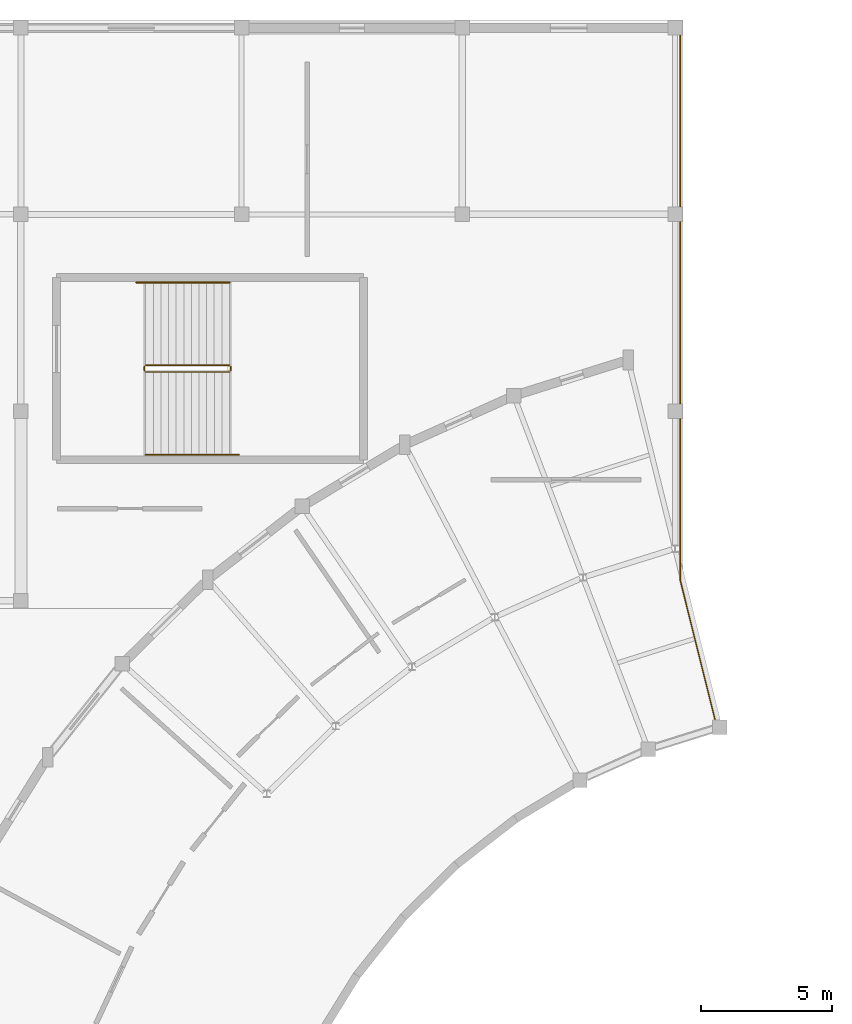
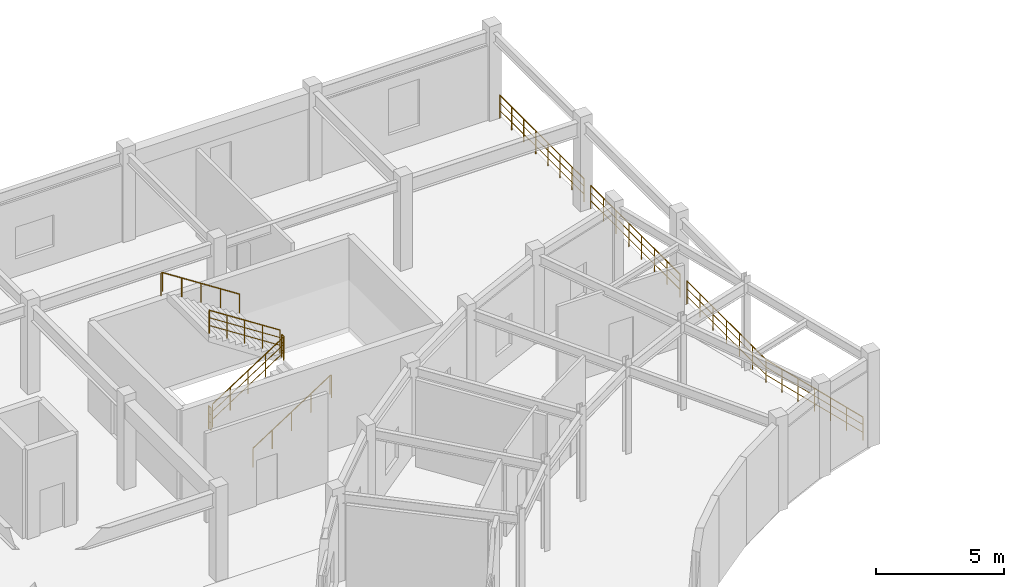
# One storey, part 58 of 60: 10 railings.
"""IFC4 building model written with IfcOpenShell, lengths in metres."""

from ifc_helpers import new_model, si_unit, direction, frame, origin, origin_2d, place, context, subcontext, project, spatial, circle, extrude, material, type_object, element, save


model = new_model("IFC4")

# Units and contexts
model_context = context("Model", 3, precision=1e-05, world=origin(), true_north=direction((0.0, 1.0)))
body_context = subcontext(model_context, "Body", "Model", "MODEL_VIEW")
ifc_project = project(units=[si_unit("LENGTHUNIT", "METRE"), si_unit("AREAUNIT", "SQUARE_METRE"), si_unit("VOLUMEUNIT", "CUBIC_METRE"), si_unit("PLANEANGLEUNIT", "RADIAN"), si_unit("MASSUNIT", "GRAM", prefix="KILO")], contexts=[model_context])

# Site, building, storey
site_placement = place(None, origin())
site = spatial("IfcSite", under=ifc_project, at=site_placement, CompositionType="ELEMENT")
building_placement = place(site_placement, origin())
building = spatial("IfcBuilding", under=site, at=building_placement, Name="Cinderbank Siding Concert Hall", CompositionType="ELEMENT")
storey_placement = place(building_placement, frame((0.0, 0.0, 14.699951171875)))
storey = spatial("IfcBuildingStorey", under=building, at=storey_placement, Name="L04", CompositionType="ELEMENT", Elevation=14.699951171875)

# Railings
ifc_material = material(Name="Structural steel AS/NZS 3679.1 Grade 350 (340 MPa)", Category="steel")
railing_type_1 = type_object("IfcRailingType", Name="GD-01 Terrace & Perimeter Guardrail 1120mm", PredefinedType="GUARDRAIL", material=ifc_material)
railing_1_placement = place(storey_placement, frame((48.699951171875, 117.6318359375, 0.0)))
element("IfcRailing", 1, at=railing_1_placement, inside=storey, type_object=railing_type_1, Name="L04 Perimeter Guardrail #88", PredefinedType="GUARDRAIL", context=body_context, shape_type="SweptSolid", body=[
    extrude(circle(Radius=0.02392578125, at=origin_2d()), frame((0.0, 0.0, 1.09619140625), z_axis=(0.0, -1.0, 0.0), x_axis=(1.0, 0.0, 0.0)), (0.0, 0.0, 1.0), 6.563720703125),
    extrude(circle(Radius=0.01611328125, at=origin_2d()), frame((0.0, 0.0, 0.36962890625), z_axis=(0.0, -1.0, 0.0), x_axis=(1.0, 0.0, 0.0)), (0.0, 0.0, 1.0), 6.563720703125),
    extrude(circle(Radius=0.01611328125, at=origin_2d()), frame((0.0, 0.0, 0.7392578125), z_axis=(0.0, -1.0, 0.0), x_axis=(1.0, 0.0, 0.0)), (0.0, 0.0, 1.0), 6.563720703125),
    extrude(circle(Radius=0.02099609375, at=origin_2d()), origin(), (0.0, 0.0, 1.0), 1.072021484375),
    extrude(circle(Radius=0.02099609375, at=origin_2d()), frame((0.0, -0.937744140625, 0.0)), (0.0, 0.0, 1.0), 1.072021484375),
    extrude(circle(Radius=0.02099609375, at=origin_2d()), frame((0.0, -1.875244140625, 0.0)), (0.0, 0.0, 1.0), 1.072021484375),
    extrude(circle(Radius=0.02099609375, at=origin_2d()), frame((0.0, -2.81298828125, 0.0)), (0.0, 0.0, 1.0), 1.072021484375),
    extrude(circle(Radius=0.02099609375, at=origin_2d()), frame((0.0, -3.750732421875, 0.0)), (0.0, 0.0, 1.0), 1.072021484375),
    extrude(circle(Radius=0.02099609375, at=origin_2d()), frame((0.0, -4.6884765625, 0.0)), (0.0, 0.0, 1.0), 1.072021484375),
    extrude(circle(Radius=0.02099609375, at=origin_2d()), frame((0.0, -5.6259765625, 0.0)), (0.0, 0.0, 1.0), 1.072021484375),
    extrude(circle(Radius=0.02099609375, at=origin_2d()), frame((0.0, -6.563720703125, 0.0)), (0.0, 0.0, 1.0), 1.072021484375),
])
railing_2_placement = place(storey_placement, frame((48.699951171875, 110.53173828125, 0.0)))
element("IfcRailing", 2, at=railing_2_placement, inside=storey, type_object=railing_type_1, Name="L04 Perimeter Guardrail #89", PredefinedType="GUARDRAIL", context=body_context, shape_type="SweptSolid", body=[
    extrude(circle(Radius=0.02392578125, at=origin_2d()), frame((0.0, 0.0, 1.09619140625), z_axis=(0.0, -1.0, 0.0), x_axis=(1.0, 0.0, 0.0)), (0.0, 0.0, 1.0), 6.963623046875),
    extrude(circle(Radius=0.01611328125, at=origin_2d()), frame((0.0, 0.0, 0.36962890625), z_axis=(0.0, -1.0, 0.0), x_axis=(1.0, 0.0, 0.0)), (0.0, 0.0, 1.0), 6.963623046875),
    extrude(circle(Radius=0.01611328125, at=origin_2d()), frame((0.0, 0.0, 0.7392578125), z_axis=(0.0, -1.0, 0.0), x_axis=(1.0, 0.0, 0.0)), (0.0, 0.0, 1.0), 6.963623046875),
    extrude(circle(Radius=0.02099609375, at=origin_2d()), origin(), (0.0, 0.0, 1.0), 1.072021484375),
    extrude(circle(Radius=0.02099609375, at=origin_2d()), frame((0.0, -0.994873046875, 0.0)), (0.0, 0.0, 1.0), 1.072021484375),
    extrude(circle(Radius=0.02099609375, at=origin_2d()), frame((0.0, -1.989501953125, 0.0)), (0.0, 0.0, 1.0), 1.072021484375),
    extrude(circle(Radius=0.02099609375, at=origin_2d()), frame((0.0, -2.984375, 0.0)), (0.0, 0.0, 1.0), 1.072021484375),
    extrude(circle(Radius=0.02099609375, at=origin_2d()), frame((0.0, -3.979248046875, 0.0)), (0.0, 0.0, 1.0), 1.072021484375),
    extrude(circle(Radius=0.02099609375, at=origin_2d()), frame((0.0, -4.97412109375, 0.0)), (0.0, 0.0, 1.0), 1.072021484375),
    extrude(circle(Radius=0.02099609375, at=origin_2d()), frame((0.0, -5.96875, 0.0)), (0.0, 0.0, 1.0), 1.072021484375),
    extrude(circle(Radius=0.02099609375, at=origin_2d()), frame((0.0, -6.963623046875, 0.0)), (0.0, 0.0, 1.0), 1.072021484375),
])
railing_3_placement = place(storey_placement, frame((48.699951171875, 103.03173828125, 0.0)))
element("IfcRailing", 3, at=railing_3_placement, inside=storey, type_object=railing_type_1, Name="L04 Perimeter Guardrail #90", PredefinedType="GUARDRAIL", context=body_context, shape_type="SweptSolid", body=[
    extrude(circle(Radius=0.02392578125, at=origin_2d()), frame((0.0, 0.0, 1.09619140625), z_axis=(0.0, -1.0, 0.0), x_axis=(1.0, 0.0, 0.0)), (0.0, 0.0, 1.0), 6.166259765625),
    extrude(circle(Radius=0.01611328125, at=origin_2d()), frame((0.0, 0.0, 0.36962890625), z_axis=(0.0, -1.0, 0.0), x_axis=(1.0, 0.0, 0.0)), (0.0, 0.0, 1.0), 6.166259765625),
    extrude(circle(Radius=0.01611328125, at=origin_2d()), frame((0.0, 0.0, 0.7392578125), z_axis=(0.0, -1.0, 0.0), x_axis=(1.0, 0.0, 0.0)), (0.0, 0.0, 1.0), 6.166259765625),
    extrude(circle(Radius=0.02099609375, at=origin_2d()), origin(), (0.0, 0.0, 1.0), 1.072021484375),
    extrude(circle(Radius=0.02099609375, at=origin_2d()), frame((0.0, -1.02783203125, 0.0)), (0.0, 0.0, 1.0), 1.072021484375),
    extrude(circle(Radius=0.02099609375, at=origin_2d()), frame((0.0, -2.055419921875, 0.0)), (0.0, 0.0, 1.0), 1.072021484375),
    extrude(circle(Radius=0.02099609375, at=origin_2d()), frame((0.0, -3.0830078125, 0.0)), (0.0, 0.0, 1.0), 1.072021484375),
    extrude(circle(Radius=0.02099609375, at=origin_2d()), frame((0.0, -4.11083984375, 0.0)), (0.0, 0.0, 1.0), 1.072021484375),
    extrude(circle(Radius=0.02099609375, at=origin_2d()), frame((0.0, -5.138671875, 0.0)), (0.0, 0.0, 1.0), 1.072021484375),
    extrude(circle(Radius=0.02099609375, at=origin_2d()), frame((0.0, -6.166259765625, 0.0)), (0.0, 0.0, 1.0), 1.072021484375),
])
railing_4_placement = place(storey_placement, frame((48.699951171875, 96.865478515625, 0.0)))
element("IfcRailing", 4, at=railing_4_placement, inside=storey, type_object=railing_type_1, Name="L04 Perimeter Guardrail #91", PredefinedType="GUARDRAIL", context=body_context, shape_type="SweptSolid", body=[
    extrude(circle(Radius=0.02392578125, at=origin_2d()), frame((0.0, 0.0, 1.09619140625), z_axis=(0.241945866467, -0.970289749353, 0.0), x_axis=(0.970289749353, 0.241945866467, 0.0)), (0.0, 0.0, 1.0), 5.455078125),
    extrude(circle(Radius=0.01611328125, at=origin_2d()), frame((0.0, 0.0, 0.36962890625), z_axis=(0.241945866467, -0.970289749353, 0.0), x_axis=(0.970289749353, 0.241945866467, 0.0)), (0.0, 0.0, 1.0), 5.455078125),
    extrude(circle(Radius=0.01611328125, at=origin_2d()), frame((0.0, 0.0, 0.7392578125), z_axis=(0.241945866467, -0.970289749353, 0.0), x_axis=(0.970289749353, 0.241945866467, 0.0)), (0.0, 0.0, 1.0), 5.455078125),
    extrude(circle(Radius=0.02099609375, at=origin_2d()), origin(), (0.0, 0.0, 1.0), 1.072021484375),
    extrude(circle(Radius=0.02099609375, at=origin_2d()), frame((0.219970703125, -0.882080078125, 0.0)), (0.0, 0.0, 1.0), 1.072021484375),
    extrude(circle(Radius=0.02099609375, at=origin_2d()), frame((0.43994140625, -1.764404296875, 0.0)), (0.0, 0.0, 1.0), 1.072021484375),
    extrude(circle(Radius=0.02099609375, at=origin_2d()), frame((0.659912109375, -2.646484375, 0.0)), (0.0, 0.0, 1.0), 1.072021484375),
    extrude(circle(Radius=0.02099609375, at=origin_2d()), frame((0.8798828125, -3.528564453125, 0.0)), (0.0, 0.0, 1.0), 1.072021484375),
    extrude(circle(Radius=0.02099609375, at=origin_2d()), frame((1.099853515625, -4.410888671875, 0.0)), (0.0, 0.0, 1.0), 1.072021484375),
    extrude(circle(Radius=0.02099609375, at=origin_2d()), frame((1.31982421875, -5.29296875, 0.0)), (0.0, 0.0, 1.0), 1.072021484375),
])
railing_type_2 = type_object("IfcRailingType", Name="STG-01 Stair Well Guardrail 1120mm", PredefinedType="GUARDRAIL", material=ifc_material)
railing_5_placement = place(storey_placement, frame((28.35009765625, 104.800048828125, 0.1875)))
element("IfcRailing", 5, at=railing_5_placement, inside=storey, type_object=railing_type_2, Name="L04 ST-05 stair guard 1", PredefinedType="GUARDRAIL", context=body_context, shape_type="SweptSolid", body=[
    extrude(circle(Radius=0.02392578125, at=origin_2d()), frame((0.0, 0.0, 1.09619140625), z_axis=(0.839759782654, 0.0, 0.542958108362), x_axis=(0.0, 1.0, 0.0)), (0.0, 0.0, 1.0), 3.798583984375),
    extrude(circle(Radius=0.01611328125, at=origin_2d()), frame((0.0, 0.0, 0.36962890625), z_axis=(0.839759782654, 0.0, 0.542958108362), x_axis=(0.0, 1.0, 0.0)), (0.0, 0.0, 1.0), 3.798583984375),
    extrude(circle(Radius=0.01611328125, at=origin_2d()), frame((0.0, 0.0, 0.7392578125), z_axis=(0.839759782654, 0.0, 0.542958108362), x_axis=(0.0, 1.0, 0.0)), (0.0, 0.0, 1.0), 3.798583984375),
    extrude(circle(Radius=0.02099609375, at=origin_2d()), origin(), (0.0, 0.0, 1.0), 1.072021484375),
    extrude(circle(Radius=0.02099609375, at=origin_2d()), frame((0.79736328125, 0.0, 0.515625)), (0.0, 0.0, 1.0), 1.072021484375),
    extrude(circle(Radius=0.02099609375, at=origin_2d()), frame((1.594970703125, 0.0, 1.03125)), (0.0, 0.0, 1.0), 1.072021484375),
    extrude(circle(Radius=0.02099609375, at=origin_2d()), frame((2.392578125, 0.0, 1.546875)), (0.0, 0.0, 1.0), 1.072021484375),
    extrude(circle(Radius=0.02099609375, at=origin_2d()), frame((3.18994140625, 0.0, 2.0625)), (0.0, 0.0, 1.0), 1.072021484375),
])
railing_6_placement = place(storey_placement, frame((31.590087890625, 104.85009765625, 2.25)))
element("IfcRailing", 6, at=railing_6_placement, inside=storey, type_object=railing_type_2, Name="L04 ST-05 stair guard 2", PredefinedType="GUARDRAIL", context=body_context, shape_type="SweptSolid", body=[
    extrude(circle(Radius=0.02392578125, at=origin_2d()), frame((0.0, 0.0, 1.09619140625), z_axis=(0.0, 1.0, 0.0), x_axis=(-1.0, 0.0, 0.0)), (0.0, 0.0, 1.0), 0.159912109375),
    extrude(circle(Radius=0.01611328125, at=origin_2d()), frame((0.0, 0.0, 0.36962890625), z_axis=(0.0, 1.0, 0.0), x_axis=(-1.0, 0.0, 0.0)), (0.0, 0.0, 1.0), 0.159912109375),
    extrude(circle(Radius=0.01611328125, at=origin_2d()), frame((0.0, 0.0, 0.7392578125), z_axis=(0.0, 1.0, 0.0), x_axis=(-1.0, 0.0, 0.0)), (0.0, 0.0, 1.0), 0.159912109375),
    extrude(circle(Radius=0.02099609375, at=origin_2d()), origin(), (0.0, 0.0, 1.0), 1.072021484375),
    extrude(circle(Radius=0.02099609375, at=origin_2d()), frame((0.0, 0.159912109375, 0.0)), (0.0, 0.0, 1.0), 1.072021484375),
])
railing_7_placement = place(storey_placement, frame((31.5400390625, 105.06005859375, 2.4375)))
element("IfcRailing", 7, at=railing_7_placement, inside=storey, type_object=railing_type_2, Name="L04 ST-05 stair guard 3", PredefinedType="GUARDRAIL", context=body_context, shape_type="SweptSolid", body=[
    extrude(circle(Radius=0.02392578125, at=origin_2d()), frame((0.0, 0.0, 1.09619140625), z_axis=(-0.839759782654, 0.0, 0.542958108362), x_axis=(0.0, -1.0, 0.0)), (0.0, 0.0, 1.0), 3.798583984375),
    extrude(circle(Radius=0.01611328125, at=origin_2d()), frame((0.0, 0.0, 0.36962890625), z_axis=(-0.839759782654, 0.0, 0.542958108362), x_axis=(0.0, -1.0, 0.0)), (0.0, 0.0, 1.0), 3.798583984375),
    extrude(circle(Radius=0.01611328125, at=origin_2d()), frame((0.0, 0.0, 0.7392578125), z_axis=(-0.839759782654, 0.0, 0.542958108362), x_axis=(0.0, -1.0, 0.0)), (0.0, 0.0, 1.0), 3.798583984375),
    extrude(circle(Radius=0.02099609375, at=origin_2d()), origin(), (0.0, 0.0, 1.0), 1.072021484375),
    extrude(circle(Radius=0.02099609375, at=origin_2d()), frame((-0.79736328125, 0.0, 0.515625)), (0.0, 0.0, 1.0), 1.072021484375),
    extrude(circle(Radius=0.02099609375, at=origin_2d()), frame((-1.594970703125, 0.0, 1.03125)), (0.0, 0.0, 1.0), 1.072021484375),
    extrude(circle(Radius=0.02099609375, at=origin_2d()), frame((-2.392578125, 0.0, 1.546875)), (0.0, 0.0, 1.0), 1.072021484375),
    extrude(circle(Radius=0.02099609375, at=origin_2d()), frame((-3.18994140625, 0.0, 2.0625)), (0.0, 0.0, 1.0), 1.072021484375),
])
railing_8_placement = place(storey_placement, frame((28.300048828125, 104.85009765625, 0.0)))
element("IfcRailing", 8, at=railing_8_placement, inside=storey, type_object=railing_type_2, Name="L04 ST-05 stair guard 4", PredefinedType="GUARDRAIL", context=body_context, shape_type="SweptSolid", body=[
    extrude(circle(Radius=0.02392578125, at=origin_2d()), frame((0.0, 0.0, 1.09619140625), z_axis=(0.0, 1.0, 0.0), x_axis=(-1.0, 0.0, 0.0)), (0.0, 0.0, 1.0), 0.159912109375),
    extrude(circle(Radius=0.01611328125, at=origin_2d()), frame((0.0, 0.0, 0.36962890625), z_axis=(0.0, 1.0, 0.0), x_axis=(-1.0, 0.0, 0.0)), (0.0, 0.0, 1.0), 0.159912109375),
    extrude(circle(Radius=0.01611328125, at=origin_2d()), frame((0.0, 0.0, 0.7392578125), z_axis=(0.0, 1.0, 0.0), x_axis=(-1.0, 0.0, 0.0)), (0.0, 0.0, 1.0), 0.159912109375),
    extrude(circle(Radius=0.02099609375, at=origin_2d()), origin(), (0.0, 0.0, 1.0), 1.072021484375),
    extrude(circle(Radius=0.02099609375, at=origin_2d()), frame((0.0, 0.159912109375, 0.0)), (0.0, 0.0, 1.0), 1.072021484375),
])
railing_type_3 = type_object("IfcRailingType", Name="STH-01 Stair Pitch Handrail 920mm", PredefinedType="HANDRAIL", material=ifc_material)
railing_9_placement = place(storey_placement, frame((28.35009765625, 101.64990234375, 0.1875)))
element("IfcRailing", 9, at=railing_9_placement, inside=storey, type_object=railing_type_3, Name="L04 ST-05 stair handrail 1", PredefinedType="HANDRAIL", context=body_context, shape_type="SweptSolid", body=[
    extrude(circle(Radius=0.02392578125, at=origin_2d()), frame((0.0, 0.0, 0.89599609375), z_axis=(0.839762940478, 0.0, 0.542953224319), x_axis=(0.0, 1.0, 0.0)), (0.0, 0.0, 1.0), 4.14404296875),
    extrude(circle(Radius=0.02392578125, at=origin_2d()), frame((3.47998046875, 0.0, 3.14599609375), z_axis=(1.0, 0.0, 0.0), x_axis=(0.0, 1.0, 0.0)), (0.0, 0.0, 1.0), 0.059814453125),
    extrude(circle(Radius=0.02099609375, at=origin_2d()), origin(), (0.0, 0.0, 1.0), 0.871826171875),
    extrude(circle(Radius=0.02099609375, at=origin_2d()), frame((0.8701171875, 0.0, 0.5625)), (0.0, 0.0, 1.0), 0.871826171875),
    extrude(circle(Radius=0.02099609375, at=origin_2d()), frame((1.739990234375, 0.0, 1.125)), (0.0, 0.0, 1.0), 0.871826171875),
    extrude(circle(Radius=0.02099609375, at=origin_2d()), frame((2.60986328125, 0.0, 1.6875)), (0.0, 0.0, 1.0), 0.871826171875),
    extrude(circle(Radius=0.02099609375, at=origin_2d()), frame((3.47998046875, 0.0, 2.25)), (0.0, 0.0, 1.0), 0.871826171875),
    extrude(circle(Radius=0.02099609375, at=origin_2d()), frame((3.539794921875, 0.0, 2.0625)), (0.0, 0.0, 1.0), 1.059326171875),
])
railing_10_placement = place(storey_placement, frame((31.5400390625, 108.2099609375, 2.4375)))
element("IfcRailing", 10, at=railing_10_placement, inside=storey, type_object=railing_type_3, Name="L04 ST-05 stair handrail 2", PredefinedType="HANDRAIL", context=body_context, shape_type="SweptSolid", body=[
    extrude(circle(Radius=0.02392578125, at=origin_2d()), frame((0.0, 0.0, 0.89599609375), z_axis=(-0.839762940478, 0.0, 0.542953224319), x_axis=(0.0, -1.0, 0.0)), (0.0, 0.0, 1.0), 4.14404296875),
    extrude(circle(Radius=0.02392578125, at=origin_2d()), frame((-3.47998046875, 0.0, 3.14599609375), z_axis=(-1.0, 0.0, 0.0), x_axis=(0.0, -1.0, 0.0)), (0.0, 0.0, 1.0), 0.06005859375),
    extrude(circle(Radius=0.02099609375, at=origin_2d()), origin(), (0.0, 0.0, 1.0), 0.871826171875),
    extrude(circle(Radius=0.02099609375, at=origin_2d()), frame((-0.8701171875, 0.0, 0.5625)), (0.0, 0.0, 1.0), 0.871826171875),
    extrude(circle(Radius=0.02099609375, at=origin_2d()), frame((-1.739990234375, 0.0, 1.125)), (0.0, 0.0, 1.0), 0.871826171875),
    extrude(circle(Radius=0.02099609375, at=origin_2d()), frame((-2.60986328125, 0.0, 1.6875)), (0.0, 0.0, 1.0), 0.871826171875),
    extrude(circle(Radius=0.02099609375, at=origin_2d()), frame((-3.47998046875, 0.0, 2.25)), (0.0, 0.0, 1.0), 0.871826171875),
    extrude(circle(Radius=0.02099609375, at=origin_2d()), frame((-3.5400390625, 0.0, 2.0625)), (0.0, 0.0, 1.0), 1.059326171875),
])

save(model, "model.ifc")
